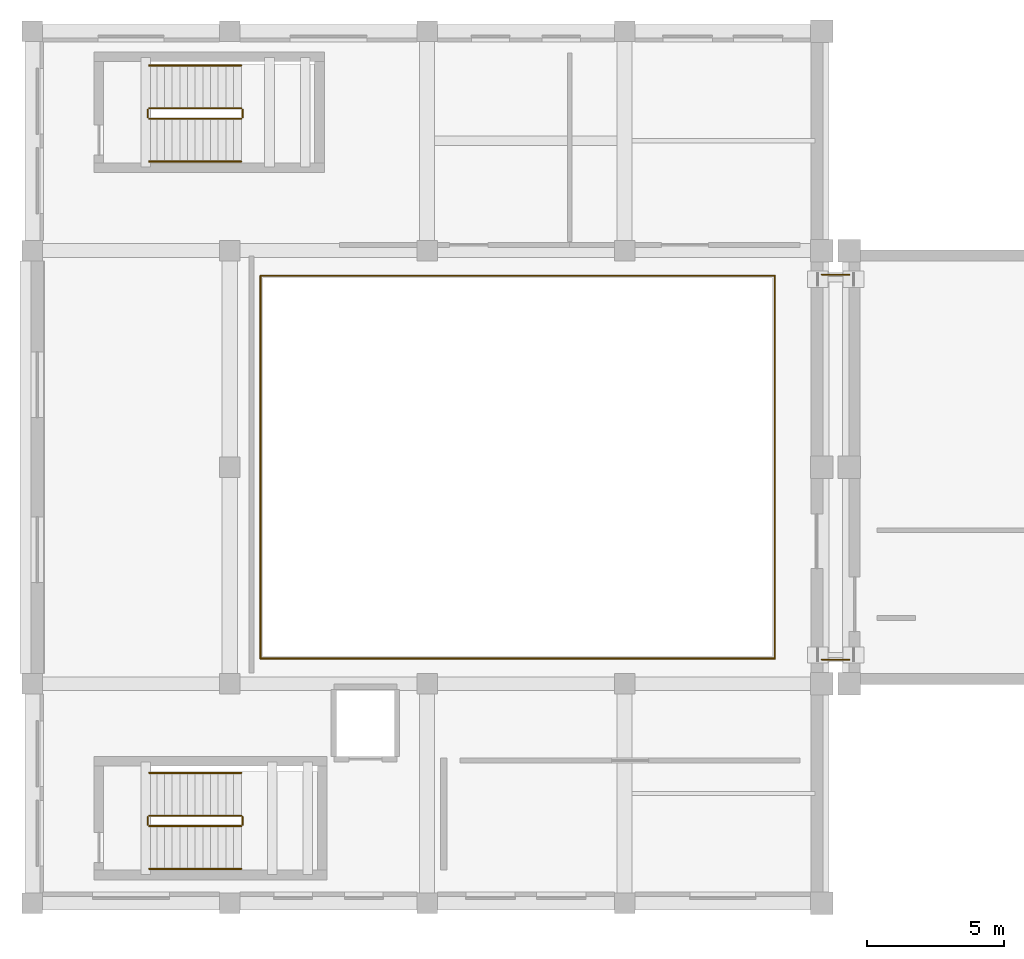
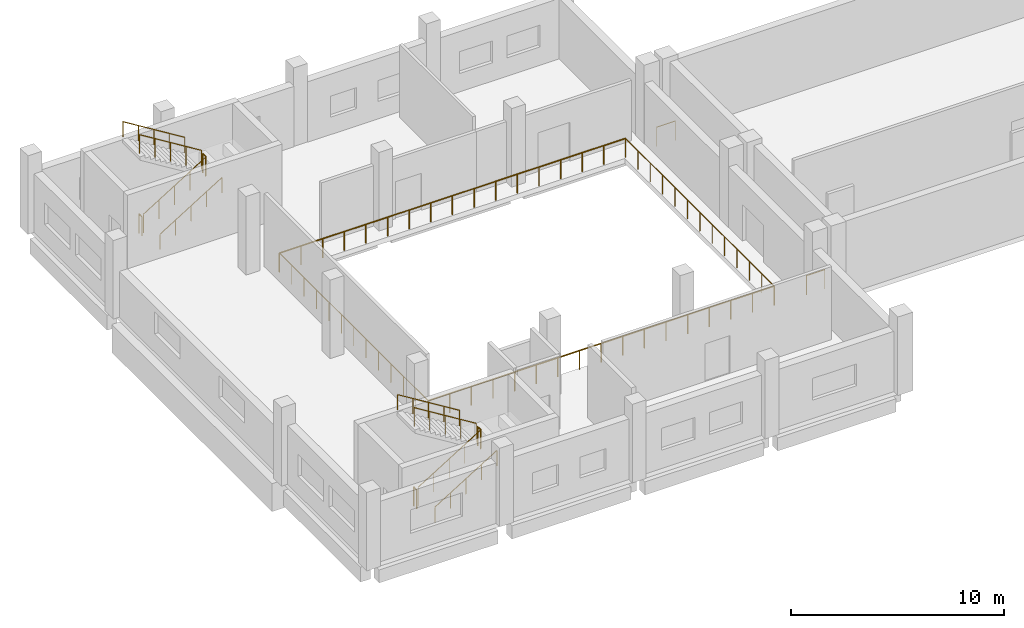
# One storey, part 7 of 7: 18 railings.
"""IFC4 building model written with IfcOpenShell, lengths in metres."""

import ifcopenshell
import ifcopenshell.guid

model = None  # the IFC model being written
_history = None  # IfcOwnerHistory: only IFC2X3 demands one
_inside = {}  # id of a spatial element -> (the spatial element, [elements in it])
_under = {}  # id of a project, library or spatial element -> (it, [spatial elements below it])
_declared = {}  # id of a project -> (the project, [libraries it declares])
_typed = {}  # id of a type object -> (the type object, [elements of that type])
_made_of = {}  # id of a material, layer set ... -> (it, [elements and type objects made of it])


def new_model(schema):
    """Start an empty IFC model of exactly this schema.

    Asked for "IFC4X3", IfcOpenShell would pick the latest addendum, in which some entities
    have other attributes; the version numbers below select the first issue.
    IFC2X3 requires an IfcOwnerHistory on every rooted entity: one is made here for all.
    """
    global model, _history
    if schema == "IFC4X3":
        model = ifcopenshell.file(schema_version=(4, 3, 0, 0))
    else:
        model = ifcopenshell.file(schema=schema)
    _inside.clear()
    _under.clear()
    _declared.clear()
    _typed.clear()
    _made_of.clear()
    _history = None
    if model.schema == "IFC2X3":
        org = make("IfcOrganization", Name="unknown")
        user = make(
            "IfcPersonAndOrganization",
            ThePerson=make("IfcPerson", FamilyName="unknown"),
            TheOrganization=org,
        )
        app = make(
            "IfcApplication",
            ApplicationDeveloper=org,
            Version="unknown",
            ApplicationFullName="unknown",
            ApplicationIdentifier="unknown",
        )
        _history = make(
            "IfcOwnerHistory",
            OwningUser=user,
            OwningApplication=app,
            ChangeAction="ADDED",
            CreationDate=0,
        )
    return model


def make(cls, **values):
    """One entity of the class cls with the attributes given. An attribute that is None is left unset."""
    return model.create_entity(
        cls, **{name: value for name, value in values.items() if value is not None}
    )


def rooted(cls, **values):
    """An entity with a GlobalId (a new one), such as an element, a storey or a relation."""
    return make(cls, GlobalId=ifcopenshell.guid.new(), OwnerHistory=_history, **values)


def si_unit(unit_type, name, prefix=None):
    """IfcSIUnit, for example si_unit("LENGTHUNIT", "METRE", prefix="MILLI")."""
    return make("IfcSIUnit", UnitType=unit_type, Prefix=prefix, Name=name)


def assignment(units):
    """IfcUnitAssignment: the units of a project."""
    return None if units is None else make("IfcUnitAssignment", Units=units)


def point(xyz):
    """IfcCartesianPoint."""
    return None if xyz is None else make("IfcCartesianPoint", Coordinates=xyz)


def direction(xyz):
    """IfcDirection."""
    return None if xyz is None else make("IfcDirection", DirectionRatios=xyz)


def frame(location, z_axis=None, x_axis=None):
    """IfcAxis2Placement3D, a coordinate frame: its origin and axes. An axis left out is left unset."""
    return make(
        "IfcAxis2Placement3D",
        Location=point(location),
        Axis=direction(z_axis),
        RefDirection=direction(x_axis),
    )


def frame_2d(location, x_axis=None):
    """IfcAxis2Placement2D, a coordinate frame in the plane: its origin and x axis."""
    return make(
        "IfcAxis2Placement2D", Location=point(location), RefDirection=direction(x_axis)
    )


def origin():
    """The frame at (0, 0, 0) with its axes left unset."""
    return frame((0.0, 0.0, 0.0))


def origin_2d():
    """The frame at (0, 0) in the plane with its x axis left unset."""
    return frame_2d((0.0, 0.0))


def place(relative_to, where):
    """IfcLocalPlacement: puts the frame where relative to a parent placement (None: the world)."""
    return make(
        "IfcLocalPlacement", PlacementRelTo=relative_to, RelativePlacement=where
    )


def context(
    kind, dimensions, precision=None, world=None, true_north=None, identifier=None
):
    """IfcGeometricRepresentationContext, for example the 3D "Model" context."""
    return make(
        "IfcGeometricRepresentationContext",
        ContextIdentifier=identifier,
        ContextType=kind,
        CoordinateSpaceDimension=dimensions,
        Precision=precision,
        WorldCoordinateSystem=world,
        TrueNorth=true_north,
    )


def subcontext(parent, identifier, kind, view, scale=None):
    """IfcGeometricRepresentationSubContext, for example "Body" below "Model"."""
    return make(
        "IfcGeometricRepresentationSubContext",
        ContextIdentifier=identifier,
        ContextType=kind,
        ParentContext=parent,
        TargetScale=scale,
        TargetView=view,
    )


def project(units=None, contexts=None):
    """IfcProject with its units and contexts."""
    return rooted(
        "IfcProject",
        Name="project",
        RepresentationContexts=contexts,
        UnitsInContext=assignment(units),
    )


def spatial(cls, under=None, at=None, **own):
    """A site, building, storey or space (cls), placed at a placement, below another one or the project."""
    s = rooted(cls, ObjectPlacement=at, **own)
    if under is not None:
        _under.setdefault(under.id(), (under, []))[1].append(s)
    return s


def profile(cls, at=None, kind="AREA", **sizes):
    """A parametric profile (cls). Its sizes go by their IFC names, for example OverallWidth=200.0."""
    return make(cls, ProfileType=kind, Position=at, **sizes)


def circle(**sizes):
    """IfcCircleProfileDef."""
    return profile("IfcCircleProfileDef", **sizes)


def extrude(swept, where, along, depth):
    """IfcExtrudedAreaSolid: the profile swept, set in the frame where, extruded along a direction by depth."""
    return make(
        "IfcExtrudedAreaSolid",
        SweptArea=swept,
        Position=where,
        ExtrudedDirection=direction(along),
        Depth=depth,
    )


def shape(context_of_items, identifier, shape_type, items):
    """IfcShapeRepresentation: the items that make up one representation, for example the "Body"."""
    return make(
        "IfcShapeRepresentation",
        ContextOfItems=context_of_items,
        RepresentationIdentifier=identifier,
        RepresentationType=shape_type,
        Items=items,
    )


def material(Name=None, Category=None):
    """IfcMaterial."""
    return make("IfcMaterial", Name=Name, Category=Category)


def made_of(thing, what):
    """Note that an element or type object is made of a material, layer set ...; save() writes the relation."""
    if what is not None:
        _made_of.setdefault(what.id(), (what, []))[1].append(thing)
    return thing


def type_object(cls, material=None, **own):
    """A type object (cls), such as IfcWallType, which elements share."""
    return made_of(rooted(cls, **own), material)


def element(
    cls,
    number,
    at=None,
    inside=None,
    cuts=None,
    type_object=None,
    material=None,
    context=None,
    identifier="Body",
    shape_type=None,
    held_by="IfcProductDefinitionShape",
    body=None,
    shapes=None,
    **own,
):
    """One element of the class cls, such as IfcWall. Its Tag is "e" and its number.

    at: its placement. inside: the storey or other place that contains it. cuts: it is an
    opening in that element (IfcRelVoidsElement). A single representation is given by context,
    identifier, shape_type and body (its items); several are given by shapes. held_by: the class
    of the entity that holds the representations. save() writes the other relations.
    """
    e = rooted(cls, Tag="e%d" % number, ObjectPlacement=at, **own)
    if body is not None:
        shapes = [shape(context, identifier, shape_type, body)]
    if shapes is not None:
        e.Representation = make(held_by, Representations=shapes)
    if inside is not None:
        _inside.setdefault(inside.id(), (inside, []))[1].append(e)
    if cuts is not None:
        rooted(
            "IfcRelVoidsElement", RelatingBuildingElement=cuts, RelatedOpeningElement=e
        )
    if type_object is not None:
        _typed.setdefault(type_object.id(), (type_object, []))[1].append(e)
    return made_of(e, material)


def aggregate(whole, parts):
    """IfcRelAggregates: a whole, such as a stair, and the parts it consists of."""
    return rooted("IfcRelAggregates", RelatingObject=whole, RelatedObjects=parts)


def save(model, path):
    """Write the relations noted so far, then the file.

    IfcRelAggregates (storeys below a building ...), IfcRelContainedInSpatialStructure (elements
    in a storey), IfcRelDefinesByType, IfcRelAssociatesMaterial and IfcRelDeclares: one each for
    every whole, place, type object, material and project.
    """
    for whole, parts in _under.values():
        aggregate(whole, parts)
    for where, things in _inside.values():
        rooted(
            "IfcRelContainedInSpatialStructure",
            RelatedElements=things,
            RelatingStructure=where,
        )
    for kind, things in _typed.values():
        rooted("IfcRelDefinesByType", RelatedObjects=things, RelatingType=kind)
    for what, things in _made_of.values():
        rooted("IfcRelAssociatesMaterial", RelatedObjects=things, RelatingMaterial=what)
    for by, libraries in _declared.values():
        rooted("IfcRelDeclares", RelatingContext=by, RelatedDefinitions=libraries)
    model.write(path)


model = new_model("IFC4")

# Units and contexts
model_context = context("Model", 3, precision=1e-05, world=origin(), true_north=direction((0.0, 1.0)))
body_context = subcontext(model_context, "Body", "Model", "MODEL_VIEW")
ifc_project = project(units=[si_unit("LENGTHUNIT", "METRE"), si_unit("AREAUNIT", "SQUARE_METRE"), si_unit("VOLUMEUNIT", "CUBIC_METRE"), si_unit("PLANEANGLEUNIT", "RADIAN"), si_unit("MASSUNIT", "GRAM", prefix="KILO")], contexts=[model_context])

# Site, building, storey
site_placement = place(None, origin())
site = spatial("IfcSite", under=ifc_project, at=site_placement, CompositionType="ELEMENT")
building_placement = place(site_placement, origin())
building = spatial("IfcBuilding", under=site, at=building_placement, Name="Kelarvand Opera House", CompositionType="ELEMENT")
storey_placement = place(building_placement, frame((0.0, 0.0, 24.0)))
storey = spatial("IfcBuildingStorey", under=building, at=storey_placement, Name="L05", CompositionType="ELEMENT", Elevation=24.0)

# Railings
ifc_material_1 = material(Name="Brushed bronze tubular rail")
railing_type_1 = type_object("IfcRailingType", Name="Brushed Bronze Stair Wall Handrail 900", PredefinedType="HANDRAIL", material=ifc_material_1)
railing_1_placement = place(storey_placement, frame((63.4599609375, 47.85009765625, 0.173095703125)))
element("IfcRailing", 1, at=railing_1_placement, inside=storey, type_object=railing_type_1, Name="L05 ST-02 stair handrail 1", PredefinedType="HANDRAIL", context=body_context, shape_type="SweptSolid", body=[
    extrude(circle(Radius=0.02392578125, at=origin_2d()), frame((0.0, 0.0, 0.8759765625), z_axis=(0.850623216509, 0.0, 0.525775754039), x_axis=(0.0, 1.0, 0.0)), (0.0, 0.0, 1.0), 3.9501953125),
    extrude(circle(Radius=0.02099609375, at=origin_2d()), origin(), (0.0, 0.0, 1.0), 0.851806640625),
    extrude(circle(Radius=0.02099609375, at=origin_2d()), frame((0.840087890625, 0.0, 0.519287109375)), (0.0, 0.0, 1.0), 0.851806640625),
    extrude(circle(Radius=0.02099609375, at=origin_2d()), frame((1.68017578125, 0.0, 1.03857421875)), (0.0, 0.0, 1.0), 0.851806640625),
    extrude(circle(Radius=0.02099609375, at=origin_2d()), frame((2.52001953125, 0.0, 1.5576171875)), (0.0, 0.0, 1.0), 0.851806640625),
    extrude(circle(Radius=0.02099609375, at=origin_2d()), frame((3.360107421875, 0.0, 2.076904296875)), (0.0, 0.0, 1.0), 0.851806640625),
])
railing_2_placement = place(storey_placement, frame((66.820068359375, 51.35009765625, 2.423095703125)))
element("IfcRailing", 2, at=railing_2_placement, inside=storey, type_object=railing_type_1, Name="L05 ST-02 stair handrail 2", PredefinedType="HANDRAIL", context=body_context, shape_type="SweptSolid", body=[
    extrude(circle(Radius=0.02392578125, at=origin_2d()), frame((0.0, 0.0, 0.8759765625), z_axis=(-0.850623216509, 0.0, 0.525775754039), x_axis=(0.0, -1.0, 0.0)), (0.0, 0.0, 1.0), 3.9501953125),
    extrude(circle(Radius=0.02099609375, at=origin_2d()), origin(), (0.0, 0.0, 1.0), 0.851806640625),
    extrude(circle(Radius=0.02099609375, at=origin_2d()), frame((-0.840087890625, 0.0, 0.519287109375)), (0.0, 0.0, 1.0), 0.851806640625),
    extrude(circle(Radius=0.02099609375, at=origin_2d()), frame((-1.68017578125, 0.0, 1.03857421875)), (0.0, 0.0, 1.0), 0.851806640625),
    extrude(circle(Radius=0.02099609375, at=origin_2d()), frame((-2.52001953125, 0.0, 1.5576171875)), (0.0, 0.0, 1.0), 0.851806640625),
    extrude(circle(Radius=0.02099609375, at=origin_2d()), frame((-3.360107421875, 0.0, 2.076904296875)), (0.0, 0.0, 1.0), 0.851806640625),
])
railing_3_placement = place(storey_placement, frame((63.4599609375, 73.64990234375, 0.173095703125)))
element("IfcRailing", 3, at=railing_3_placement, inside=storey, type_object=railing_type_1, Name="L05 ST-03 stair handrail 1", PredefinedType="HANDRAIL", context=body_context, shape_type="SweptSolid", body=[
    extrude(circle(Radius=0.02392578125, at=origin_2d()), frame((0.0, 0.0, 0.8759765625), z_axis=(0.850623216509, 0.0, 0.525775754039), x_axis=(0.0, 1.0, 0.0)), (0.0, 0.0, 1.0), 3.9501953125),
    extrude(circle(Radius=0.02099609375, at=origin_2d()), origin(), (0.0, 0.0, 1.0), 0.851806640625),
    extrude(circle(Radius=0.02099609375, at=origin_2d()), frame((0.840087890625, 0.0, 0.519287109375)), (0.0, 0.0, 1.0), 0.851806640625),
    extrude(circle(Radius=0.02099609375, at=origin_2d()), frame((1.68017578125, 0.0, 1.03857421875)), (0.0, 0.0, 1.0), 0.851806640625),
    extrude(circle(Radius=0.02099609375, at=origin_2d()), frame((2.52001953125, 0.0, 1.5576171875)), (0.0, 0.0, 1.0), 0.851806640625),
    extrude(circle(Radius=0.02099609375, at=origin_2d()), frame((3.360107421875, 0.0, 2.076904296875)), (0.0, 0.0, 1.0), 0.851806640625),
])
railing_4_placement = place(storey_placement, frame((66.820068359375, 77.14990234375, 2.423095703125)))
element("IfcRailing", 4, at=railing_4_placement, inside=storey, type_object=railing_type_1, Name="L05 ST-03 stair handrail 2", PredefinedType="HANDRAIL", context=body_context, shape_type="SweptSolid", body=[
    extrude(circle(Radius=0.02392578125, at=origin_2d()), frame((0.0, 0.0, 0.8759765625), z_axis=(-0.850623216509, 0.0, 0.525775754039), x_axis=(0.0, -1.0, 0.0)), (0.0, 0.0, 1.0), 3.9501953125),
    extrude(circle(Radius=0.02099609375, at=origin_2d()), origin(), (0.0, 0.0, 1.0), 0.851806640625),
    extrude(circle(Radius=0.02099609375, at=origin_2d()), frame((-0.840087890625, 0.0, 0.519287109375)), (0.0, 0.0, 1.0), 0.851806640625),
    extrude(circle(Radius=0.02099609375, at=origin_2d()), frame((-1.68017578125, 0.0, 1.03857421875)), (0.0, 0.0, 1.0), 0.851806640625),
    extrude(circle(Radius=0.02099609375, at=origin_2d()), frame((-2.52001953125, 0.0, 1.5576171875)), (0.0, 0.0, 1.0), 0.851806640625),
    extrude(circle(Radius=0.02099609375, at=origin_2d()), frame((-3.360107421875, 0.0, 2.076904296875)), (0.0, 0.0, 1.0), 0.851806640625),
])
ifc_material_2 = material(Name="Laminated safety glass with bronze cap rail", Category="glass")
railing_type_2 = type_object("IfcRailingType", Name="Laminated Glass and Bronze Foyer Balustrade 1120", PredefinedType="BALUSTRADE", material=ifc_material_2)
for number, where, name in (
    (5, (88.0, 55.47998046875, 0.0), "V1 L05 Balustrade 157"),
    (6, (88.0, 69.52001953125, 0.0), "V1 L05 Balustrade 158"),
):
    element("IfcRailing", number, at=place(storey_placement, frame(where)), inside=storey, type_object=railing_type_2, Name=name, PredefinedType="BALUSTRADE", context=body_context, shape_type="SweptSolid", body=[
        extrude(circle(Radius=0.02392578125, at=origin_2d()), frame((0.0, 0.0, 1.09619140625), z_axis=(1.0, 0.0, 0.0), x_axis=(0.0, 1.0, 0.0)), (0.0, 0.0, 1.0), 1.0),
        extrude(circle(Radius=0.02099609375, at=origin_2d()), origin(), (0.0, 0.0, 1.0), 1.072021484375),
        extrude(circle(Radius=0.02099609375, at=origin_2d()), frame((1.0, 0.0, 0.0)), (0.0, 0.0, 1.0), 1.072021484375),
    ])
ifc_material_3 = material(Name="Powder-coated Steel S355", Category="steel")
railing_type_3 = type_object("IfcRailingType", Name="Painted Steel Stair and Void Guardrail 1100", PredefinedType="GUARDRAIL", material=ifc_material_3)
railing_5_placement = place(storey_placement, frame((63.4599609375, 49.409912109375, 0.173095703125)))
element("IfcRailing", 7, at=railing_5_placement, inside=storey, type_object=railing_type_3, Name="L05 ST-02 stair guard 1", PredefinedType="GUARDRAIL", context=body_context, shape_type="SweptSolid", body=[
    extrude(circle(Radius=0.02392578125, at=origin_2d()), frame((0.0, 0.0, 1.076171875), z_axis=(0.850623216509, 0.0, 0.525775754039), x_axis=(0.0, 1.0, 0.0)), (0.0, 0.0, 1.0), 3.9501953125),
    extrude(circle(Radius=0.02099609375, at=origin_2d()), origin(), (0.0, 0.0, 1.0), 1.052001953125),
    extrude(circle(Radius=0.02099609375, at=origin_2d()), frame((0.840087890625, 0.0, 0.519287109375)), (0.0, 0.0, 1.0), 1.052001953125),
    extrude(circle(Radius=0.02099609375, at=origin_2d()), frame((1.68017578125, 0.0, 1.03857421875)), (0.0, 0.0, 1.0), 1.052001953125),
    extrude(circle(Radius=0.02099609375, at=origin_2d()), frame((2.52001953125, 0.0, 1.5576171875)), (0.0, 0.0, 1.0), 1.052001953125),
    extrude(circle(Radius=0.02099609375, at=origin_2d()), frame((3.360107421875, 0.0, 2.076904296875)), (0.0, 0.0, 1.0), 1.052001953125),
])
railing_6_placement = place(storey_placement, frame((66.8701171875, 49.4599609375, 2.25)))
element("IfcRailing", 8, at=railing_6_placement, inside=storey, type_object=railing_type_3, Name="L05 ST-02 stair guard 2", PredefinedType="GUARDRAIL", context=body_context, shape_type="SweptSolid", body=[
    extrude(circle(Radius=0.02392578125, at=origin_2d()), frame((0.0, 0.0, 1.076171875), z_axis=(0.0, 1.0, 0.0), x_axis=(-1.0, 0.0, 0.0)), (0.0, 0.0, 1.0), 0.280029296875),
    extrude(circle(Radius=0.02099609375, at=origin_2d()), origin(), (0.0, 0.0, 1.0), 1.052001953125),
    extrude(circle(Radius=0.02099609375, at=origin_2d()), frame((0.0, 0.280029296875, 0.0)), (0.0, 0.0, 1.0), 1.052001953125),
])
railing_7_placement = place(storey_placement, frame((66.820068359375, 49.7900390625, 2.423095703125)))
element("IfcRailing", 9, at=railing_7_placement, inside=storey, type_object=railing_type_3, Name="L05 ST-02 stair guard 3", PredefinedType="GUARDRAIL", context=body_context, shape_type="SweptSolid", body=[
    extrude(circle(Radius=0.02392578125, at=origin_2d()), frame((0.0, 0.0, 1.076171875), z_axis=(-0.850623216509, 0.0, 0.525775754039), x_axis=(0.0, -1.0, 0.0)), (0.0, 0.0, 1.0), 3.9501953125),
    extrude(circle(Radius=0.02099609375, at=origin_2d()), origin(), (0.0, 0.0, 1.0), 1.052001953125),
    extrude(circle(Radius=0.02099609375, at=origin_2d()), frame((-0.840087890625, 0.0, 0.519287109375)), (0.0, 0.0, 1.0), 1.052001953125),
    extrude(circle(Radius=0.02099609375, at=origin_2d()), frame((-1.68017578125, 0.0, 1.03857421875)), (0.0, 0.0, 1.0), 1.052001953125),
    extrude(circle(Radius=0.02099609375, at=origin_2d()), frame((-2.52001953125, 0.0, 1.5576171875)), (0.0, 0.0, 1.0), 1.052001953125),
    extrude(circle(Radius=0.02099609375, at=origin_2d()), frame((-3.360107421875, 0.0, 2.076904296875)), (0.0, 0.0, 1.0), 1.052001953125),
])
railing_8_placement = place(storey_placement, frame((63.409912109375, 49.4599609375, 0.0)))
element("IfcRailing", 10, at=railing_8_placement, inside=storey, type_object=railing_type_3, Name="L05 ST-02 stair guard 4", PredefinedType="GUARDRAIL", context=body_context, shape_type="SweptSolid", body=[
    extrude(circle(Radius=0.02392578125, at=origin_2d()), frame((0.0, 0.0, 1.076171875), z_axis=(0.0, 1.0, 0.0), x_axis=(-1.0, 0.0, 0.0)), (0.0, 0.0, 1.0), 0.280029296875),
    extrude(circle(Radius=0.02099609375, at=origin_2d()), origin(), (0.0, 0.0, 1.0), 1.052001953125),
    extrude(circle(Radius=0.02099609375, at=origin_2d()), frame((0.0, 0.280029296875, 0.0)), (0.0, 0.0, 1.0), 1.052001953125),
])
railing_9_placement = place(storey_placement, frame((63.4599609375, 75.2099609375, 0.173095703125)))
element("IfcRailing", 11, at=railing_9_placement, inside=storey, type_object=railing_type_3, Name="L05 ST-03 stair guard 1", PredefinedType="GUARDRAIL", context=body_context, shape_type="SweptSolid", body=[
    extrude(circle(Radius=0.02392578125, at=origin_2d()), frame((0.0, 0.0, 1.076171875), z_axis=(0.850623216509, 0.0, 0.525775754039), x_axis=(0.0, 1.0, 0.0)), (0.0, 0.0, 1.0), 3.9501953125),
    extrude(circle(Radius=0.02099609375, at=origin_2d()), origin(), (0.0, 0.0, 1.0), 1.052001953125),
    extrude(circle(Radius=0.02099609375, at=origin_2d()), frame((0.840087890625, 0.0, 0.519287109375)), (0.0, 0.0, 1.0), 1.052001953125),
    extrude(circle(Radius=0.02099609375, at=origin_2d()), frame((1.68017578125, 0.0, 1.03857421875)), (0.0, 0.0, 1.0), 1.052001953125),
    extrude(circle(Radius=0.02099609375, at=origin_2d()), frame((2.52001953125, 0.0, 1.5576171875)), (0.0, 0.0, 1.0), 1.052001953125),
    extrude(circle(Radius=0.02099609375, at=origin_2d()), frame((3.360107421875, 0.0, 2.076904296875)), (0.0, 0.0, 1.0), 1.052001953125),
])
railing_10_placement = place(storey_placement, frame((66.8701171875, 75.260009765625, 2.25)))
element("IfcRailing", 12, at=railing_10_placement, inside=storey, type_object=railing_type_3, Name="L05 ST-03 stair guard 2", PredefinedType="GUARDRAIL", context=body_context, shape_type="SweptSolid", body=[
    extrude(circle(Radius=0.02392578125, at=origin_2d()), frame((0.0, 0.0, 1.076171875), z_axis=(0.0, 1.0, 0.0), x_axis=(-1.0, 0.0, 0.0)), (0.0, 0.0, 1.0), 0.280029296875),
    extrude(circle(Radius=0.02099609375, at=origin_2d()), origin(), (0.0, 0.0, 1.0), 1.052001953125),
    extrude(circle(Radius=0.02099609375, at=origin_2d()), frame((0.0, 0.280029296875, 0.0)), (0.0, 0.0, 1.0), 1.052001953125),
])
railing_11_placement = place(storey_placement, frame((66.820068359375, 75.590087890625, 2.423095703125)))
element("IfcRailing", 13, at=railing_11_placement, inside=storey, type_object=railing_type_3, Name="L05 ST-03 stair guard 3", PredefinedType="GUARDRAIL", context=body_context, shape_type="SweptSolid", body=[
    extrude(circle(Radius=0.02392578125, at=origin_2d()), frame((0.0, 0.0, 1.076171875), z_axis=(-0.850623216509, 0.0, 0.525775754039), x_axis=(0.0, -1.0, 0.0)), (0.0, 0.0, 1.0), 3.9501953125),
    extrude(circle(Radius=0.02099609375, at=origin_2d()), origin(), (0.0, 0.0, 1.0), 1.052001953125),
    extrude(circle(Radius=0.02099609375, at=origin_2d()), frame((-0.840087890625, 0.0, 0.519287109375)), (0.0, 0.0, 1.0), 1.052001953125),
    extrude(circle(Radius=0.02099609375, at=origin_2d()), frame((-1.68017578125, 0.0, 1.03857421875)), (0.0, 0.0, 1.0), 1.052001953125),
    extrude(circle(Radius=0.02099609375, at=origin_2d()), frame((-2.52001953125, 0.0, 1.5576171875)), (0.0, 0.0, 1.0), 1.052001953125),
    extrude(circle(Radius=0.02099609375, at=origin_2d()), frame((-3.360107421875, 0.0, 2.076904296875)), (0.0, 0.0, 1.0), 1.052001953125),
])
railing_12_placement = place(storey_placement, frame((63.409912109375, 75.260009765625, 0.0)))
element("IfcRailing", 14, at=railing_12_placement, inside=storey, type_object=railing_type_3, Name="L05 ST-03 stair guard 4", PredefinedType="GUARDRAIL", context=body_context, shape_type="SweptSolid", body=[
    extrude(circle(Radius=0.02392578125, at=origin_2d()), frame((0.0, 0.0, 1.076171875), z_axis=(0.0, 1.0, 0.0), x_axis=(-1.0, 0.0, 0.0)), (0.0, 0.0, 1.0), 0.280029296875),
    extrude(circle(Radius=0.02099609375, at=origin_2d()), origin(), (0.0, 0.0, 1.0), 1.052001953125),
    extrude(circle(Radius=0.02099609375, at=origin_2d()), frame((0.0, 0.280029296875, 0.0)), (0.0, 0.0, 1.0), 1.052001953125),
])
railing_13_placement = place(storey_placement, frame((67.52001953125, 69.47998046875, 0.0)))
element("IfcRailing", 15, at=railing_13_placement, inside=storey, type_object=railing_type_3, Name="V2 L05 Guardrail 109", PredefinedType="GUARDRAIL", context=body_context, shape_type="SweptSolid", body=[
    extrude(circle(Radius=0.02392578125, at=origin_2d()), frame((0.0, 0.0, 1.076171875), z_axis=(1.0, 0.0, 0.0), x_axis=(0.0, 1.0, 0.0)), (0.0, 0.0, 1.0), 18.760009765625),
    extrude(circle(Radius=0.02099609375, at=origin_2d()), origin(), (0.0, 0.0, 1.0), 1.052001953125),
    extrude(circle(Radius=0.02099609375, at=origin_2d()), frame((1.172607421875, 0.0, 0.0)), (0.0, 0.0, 1.0), 1.052001953125),
    extrude(circle(Radius=0.02099609375, at=origin_2d()), frame((2.344970703125, 0.0, 0.0)), (0.0, 0.0, 1.0), 1.052001953125),
    extrude(circle(Radius=0.02099609375, at=origin_2d()), frame((3.517578125, 0.0, 0.0)), (0.0, 0.0, 1.0), 1.052001953125),
    extrude(circle(Radius=0.02099609375, at=origin_2d()), frame((4.68994140625, 0.0, 0.0)), (0.0, 0.0, 1.0), 1.052001953125),
    extrude(circle(Radius=0.02099609375, at=origin_2d()), frame((5.862548828125, 0.0, 0.0)), (0.0, 0.0, 1.0), 1.052001953125),
    extrude(circle(Radius=0.02099609375, at=origin_2d()), frame((7.034912109375, 0.0, 0.0)), (0.0, 0.0, 1.0), 1.052001953125),
    extrude(circle(Radius=0.02099609375, at=origin_2d()), frame((8.20751953125, 0.0, 0.0)), (0.0, 0.0, 1.0), 1.052001953125),
    extrude(circle(Radius=0.02099609375, at=origin_2d()), frame((9.3798828125, 0.0, 0.0)), (0.0, 0.0, 1.0), 1.052001953125),
    extrude(circle(Radius=0.02099609375, at=origin_2d()), frame((10.552490234375, 0.0, 0.0)), (0.0, 0.0, 1.0), 1.052001953125),
    extrude(circle(Radius=0.02099609375, at=origin_2d()), frame((11.72509765625, 0.0, 0.0)), (0.0, 0.0, 1.0), 1.052001953125),
    extrude(circle(Radius=0.02099609375, at=origin_2d()), frame((12.8974609375, 0.0, 0.0)), (0.0, 0.0, 1.0), 1.052001953125),
    extrude(circle(Radius=0.02099609375, at=origin_2d()), frame((14.070068359375, 0.0, 0.0)), (0.0, 0.0, 1.0), 1.052001953125),
    extrude(circle(Radius=0.02099609375, at=origin_2d()), frame((15.242431640625, 0.0, 0.0)), (0.0, 0.0, 1.0), 1.052001953125),
    extrude(circle(Radius=0.02099609375, at=origin_2d()), frame((16.4150390625, 0.0, 0.0)), (0.0, 0.0, 1.0), 1.052001953125),
    extrude(circle(Radius=0.02099609375, at=origin_2d()), frame((17.58740234375, 0.0, 0.0)), (0.0, 0.0, 1.0), 1.052001953125),
    extrude(circle(Radius=0.02099609375, at=origin_2d()), frame((18.760009765625, 0.0, 0.0)), (0.0, 0.0, 1.0), 1.052001953125),
])
railing_14_placement = place(storey_placement, frame((86.280029296875, 69.47998046875, 0.0)))
element("IfcRailing", 16, at=railing_14_placement, inside=storey, type_object=railing_type_3, Name="V2 L05 Guardrail 110", PredefinedType="GUARDRAIL", context=body_context, shape_type="SweptSolid", body=[
    extrude(circle(Radius=0.02392578125, at=origin_2d()), frame((0.0, 0.0, 1.076171875), z_axis=(0.0, -1.0, 0.0), x_axis=(1.0, 0.0, 0.0)), (0.0, 0.0, 1.0), 13.9599609375),
    extrude(circle(Radius=0.02099609375, at=origin_2d()), origin(), (0.0, 0.0, 1.0), 1.052001953125),
    extrude(circle(Radius=0.02099609375, at=origin_2d()), frame((0.0, -1.163330078125, 0.0)), (0.0, 0.0, 1.0), 1.052001953125),
    extrude(circle(Radius=0.02099609375, at=origin_2d()), frame((0.0, -2.32666015625, 0.0)), (0.0, 0.0, 1.0), 1.052001953125),
    extrude(circle(Radius=0.02099609375, at=origin_2d()), frame((0.0, -3.489990234375, 0.0)), (0.0, 0.0, 1.0), 1.052001953125),
    extrude(circle(Radius=0.02099609375, at=origin_2d()), frame((0.0, -4.6533203125, 0.0)), (0.0, 0.0, 1.0), 1.052001953125),
    extrude(circle(Radius=0.02099609375, at=origin_2d()), frame((0.0, -5.816650390625, 0.0)), (0.0, 0.0, 1.0), 1.052001953125),
    extrude(circle(Radius=0.02099609375, at=origin_2d()), frame((0.0, -6.97998046875, 0.0)), (0.0, 0.0, 1.0), 1.052001953125),
    extrude(circle(Radius=0.02099609375, at=origin_2d()), frame((0.0, -8.143310546875, 0.0)), (0.0, 0.0, 1.0), 1.052001953125),
    extrude(circle(Radius=0.02099609375, at=origin_2d()), frame((0.0, -9.306640625, 0.0)), (0.0, 0.0, 1.0), 1.052001953125),
    extrude(circle(Radius=0.02099609375, at=origin_2d()), frame((0.0, -10.469970703125, 0.0)), (0.0, 0.0, 1.0), 1.052001953125),
    extrude(circle(Radius=0.02099609375, at=origin_2d()), frame((0.0, -11.63330078125, 0.0)), (0.0, 0.0, 1.0), 1.052001953125),
    extrude(circle(Radius=0.02099609375, at=origin_2d()), frame((0.0, -12.796630859375, 0.0)), (0.0, 0.0, 1.0), 1.052001953125),
    extrude(circle(Radius=0.02099609375, at=origin_2d()), frame((0.0, -13.9599609375, 0.0)), (0.0, 0.0, 1.0), 1.052001953125),
])
railing_15_placement = place(storey_placement, frame((86.280029296875, 55.52001953125, 0.0)))
element("IfcRailing", 17, at=railing_15_placement, inside=storey, type_object=railing_type_3, Name="V2 L05 Guardrail 111", PredefinedType="GUARDRAIL", context=body_context, shape_type="SweptSolid", body=[
    extrude(circle(Radius=0.02392578125, at=origin_2d()), frame((0.0, 0.0, 1.076171875), z_axis=(-1.0, 0.0, 0.0), x_axis=(0.0, -1.0, 0.0)), (0.0, 0.0, 1.0), 18.760009765625),
    extrude(circle(Radius=0.02099609375, at=origin_2d()), origin(), (0.0, 0.0, 1.0), 1.052001953125),
    extrude(circle(Radius=0.02099609375, at=origin_2d()), frame((-1.172607421875, 0.0, 0.0)), (0.0, 0.0, 1.0), 1.052001953125),
    extrude(circle(Radius=0.02099609375, at=origin_2d()), frame((-2.344970703125, 0.0, 0.0)), (0.0, 0.0, 1.0), 1.052001953125),
    extrude(circle(Radius=0.02099609375, at=origin_2d()), frame((-3.517578125, 0.0, 0.0)), (0.0, 0.0, 1.0), 1.052001953125),
    extrude(circle(Radius=0.02099609375, at=origin_2d()), frame((-4.68994140625, 0.0, 0.0)), (0.0, 0.0, 1.0), 1.052001953125),
    extrude(circle(Radius=0.02099609375, at=origin_2d()), frame((-5.862548828125, 0.0, 0.0)), (0.0, 0.0, 1.0), 1.052001953125),
    extrude(circle(Radius=0.02099609375, at=origin_2d()), frame((-7.034912109375, 0.0, 0.0)), (0.0, 0.0, 1.0), 1.052001953125),
    extrude(circle(Radius=0.02099609375, at=origin_2d()), frame((-8.20751953125, 0.0, 0.0)), (0.0, 0.0, 1.0), 1.052001953125),
    extrude(circle(Radius=0.02099609375, at=origin_2d()), frame((-9.3798828125, 0.0, 0.0)), (0.0, 0.0, 1.0), 1.052001953125),
    extrude(circle(Radius=0.02099609375, at=origin_2d()), frame((-10.552490234375, 0.0, 0.0)), (0.0, 0.0, 1.0), 1.052001953125),
    extrude(circle(Radius=0.02099609375, at=origin_2d()), frame((-11.72509765625, 0.0, 0.0)), (0.0, 0.0, 1.0), 1.052001953125),
    extrude(circle(Radius=0.02099609375, at=origin_2d()), frame((-12.8974609375, 0.0, 0.0)), (0.0, 0.0, 1.0), 1.052001953125),
    extrude(circle(Radius=0.02099609375, at=origin_2d()), frame((-14.070068359375, 0.0, 0.0)), (0.0, 0.0, 1.0), 1.052001953125),
    extrude(circle(Radius=0.02099609375, at=origin_2d()), frame((-15.242431640625, 0.0, 0.0)), (0.0, 0.0, 1.0), 1.052001953125),
    extrude(circle(Radius=0.02099609375, at=origin_2d()), frame((-16.4150390625, 0.0, 0.0)), (0.0, 0.0, 1.0), 1.052001953125),
    extrude(circle(Radius=0.02099609375, at=origin_2d()), frame((-17.58740234375, 0.0, 0.0)), (0.0, 0.0, 1.0), 1.052001953125),
    extrude(circle(Radius=0.02099609375, at=origin_2d()), frame((-18.760009765625, 0.0, 0.0)), (0.0, 0.0, 1.0), 1.052001953125),
])
railing_16_placement = place(storey_placement, frame((67.52001953125, 55.52001953125, 0.0)))
element("IfcRailing", 18, at=railing_16_placement, inside=storey, type_object=railing_type_3, Name="V2 L05 Guardrail 112", PredefinedType="GUARDRAIL", context=body_context, shape_type="SweptSolid", body=[
    extrude(circle(Radius=0.02392578125, at=origin_2d()), frame((0.0, 0.0, 1.076171875), z_axis=(0.0, 1.0, 0.0), x_axis=(-1.0, 0.0, 0.0)), (0.0, 0.0, 1.0), 13.9599609375),
    extrude(circle(Radius=0.02099609375, at=origin_2d()), origin(), (0.0, 0.0, 1.0), 1.052001953125),
    extrude(circle(Radius=0.02099609375, at=origin_2d()), frame((0.0, 1.163330078125, 0.0)), (0.0, 0.0, 1.0), 1.052001953125),
    extrude(circle(Radius=0.02099609375, at=origin_2d()), frame((0.0, 2.32666015625, 0.0)), (0.0, 0.0, 1.0), 1.052001953125),
    extrude(circle(Radius=0.02099609375, at=origin_2d()), frame((0.0, 3.489990234375, 0.0)), (0.0, 0.0, 1.0), 1.052001953125),
    extrude(circle(Radius=0.02099609375, at=origin_2d()), frame((0.0, 4.6533203125, 0.0)), (0.0, 0.0, 1.0), 1.052001953125),
    extrude(circle(Radius=0.02099609375, at=origin_2d()), frame((0.0, 5.816650390625, 0.0)), (0.0, 0.0, 1.0), 1.052001953125),
    extrude(circle(Radius=0.02099609375, at=origin_2d()), frame((0.0, 6.97998046875, 0.0)), (0.0, 0.0, 1.0), 1.052001953125),
    extrude(circle(Radius=0.02099609375, at=origin_2d()), frame((0.0, 8.143310546875, 0.0)), (0.0, 0.0, 1.0), 1.052001953125),
    extrude(circle(Radius=0.02099609375, at=origin_2d()), frame((0.0, 9.306640625, 0.0)), (0.0, 0.0, 1.0), 1.052001953125),
    extrude(circle(Radius=0.02099609375, at=origin_2d()), frame((0.0, 10.469970703125, 0.0)), (0.0, 0.0, 1.0), 1.052001953125),
    extrude(circle(Radius=0.02099609375, at=origin_2d()), frame((0.0, 11.63330078125, 0.0)), (0.0, 0.0, 1.0), 1.052001953125),
    extrude(circle(Radius=0.02099609375, at=origin_2d()), frame((0.0, 12.796630859375, 0.0)), (0.0, 0.0, 1.0), 1.052001953125),
    extrude(circle(Radius=0.02099609375, at=origin_2d()), frame((0.0, 13.9599609375, 0.0)), (0.0, 0.0, 1.0), 1.052001953125),
])

save(model, "model.ifc")
